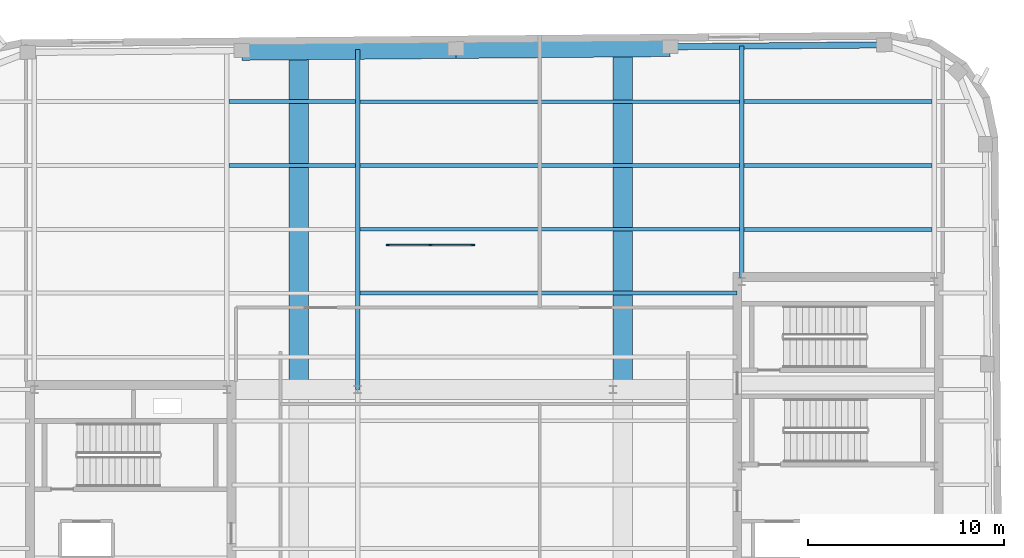
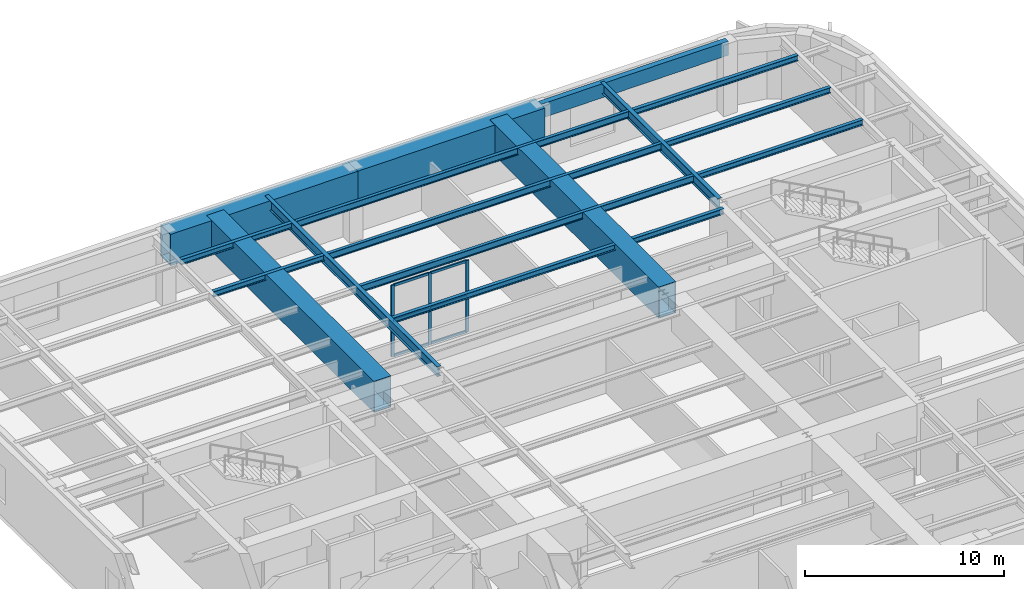
# One storey, part 6 of 14: 16 beams, 9 members, 1 element without a shape of its own.
"""IFC4 building model written with IfcOpenShell, lengths in metres."""

import ifcopenshell
import ifcopenshell.guid

model = None  # the IFC model being written
_history = None  # IfcOwnerHistory: only IFC2X3 demands one
_inside = {}  # id of a spatial element -> (the spatial element, [elements in it])
_under = {}  # id of a project, library or spatial element -> (it, [spatial elements below it])
_declared = {}  # id of a project -> (the project, [libraries it declares])
_typed = {}  # id of a type object -> (the type object, [elements of that type])
_made_of = {}  # id of a material, layer set ... -> (it, [elements and type objects made of it])


def new_model(schema):
    """Start an empty IFC model of exactly this schema.

    Asked for "IFC4X3", IfcOpenShell would pick the latest addendum, in which some entities
    have other attributes; the version numbers below select the first issue.
    IFC2X3 requires an IfcOwnerHistory on every rooted entity: one is made here for all.
    """
    global model, _history
    if schema == "IFC4X3":
        model = ifcopenshell.file(schema_version=(4, 3, 0, 0))
    else:
        model = ifcopenshell.file(schema=schema)
    _inside.clear()
    _under.clear()
    _declared.clear()
    _typed.clear()
    _made_of.clear()
    _history = None
    if model.schema == "IFC2X3":
        org = make("IfcOrganization", Name="unknown")
        user = make(
            "IfcPersonAndOrganization",
            ThePerson=make("IfcPerson", FamilyName="unknown"),
            TheOrganization=org,
        )
        app = make(
            "IfcApplication",
            ApplicationDeveloper=org,
            Version="unknown",
            ApplicationFullName="unknown",
            ApplicationIdentifier="unknown",
        )
        _history = make(
            "IfcOwnerHistory",
            OwningUser=user,
            OwningApplication=app,
            ChangeAction="ADDED",
            CreationDate=0,
        )
    return model


def make(cls, **values):
    """One entity of the class cls with the attributes given. An attribute that is None is left unset."""
    return model.create_entity(
        cls, **{name: value for name, value in values.items() if value is not None}
    )


def rooted(cls, **values):
    """An entity with a GlobalId (a new one), such as an element, a storey or a relation."""
    return make(cls, GlobalId=ifcopenshell.guid.new(), OwnerHistory=_history, **values)


def si_unit(unit_type, name, prefix=None):
    """IfcSIUnit, for example si_unit("LENGTHUNIT", "METRE", prefix="MILLI")."""
    return make("IfcSIUnit", UnitType=unit_type, Prefix=prefix, Name=name)


def assignment(units):
    """IfcUnitAssignment: the units of a project."""
    return None if units is None else make("IfcUnitAssignment", Units=units)


def point(xyz):
    """IfcCartesianPoint."""
    return None if xyz is None else make("IfcCartesianPoint", Coordinates=xyz)


def direction(xyz):
    """IfcDirection."""
    return None if xyz is None else make("IfcDirection", DirectionRatios=xyz)


def frame(location, z_axis=None, x_axis=None):
    """IfcAxis2Placement3D, a coordinate frame: its origin and axes. An axis left out is left unset."""
    return make(
        "IfcAxis2Placement3D",
        Location=point(location),
        Axis=direction(z_axis),
        RefDirection=direction(x_axis),
    )


def frame_2d(location, x_axis=None):
    """IfcAxis2Placement2D, a coordinate frame in the plane: its origin and x axis."""
    return make(
        "IfcAxis2Placement2D", Location=point(location), RefDirection=direction(x_axis)
    )


def origin():
    """The frame at (0, 0, 0) with its axes left unset."""
    return frame((0.0, 0.0, 0.0))


def origin_2d():
    """The frame at (0, 0) in the plane with its x axis left unset."""
    return frame_2d((0.0, 0.0))


def place(relative_to, where):
    """IfcLocalPlacement: puts the frame where relative to a parent placement (None: the world)."""
    return make(
        "IfcLocalPlacement", PlacementRelTo=relative_to, RelativePlacement=where
    )


def context(
    kind, dimensions, precision=None, world=None, true_north=None, identifier=None
):
    """IfcGeometricRepresentationContext, for example the 3D "Model" context."""
    return make(
        "IfcGeometricRepresentationContext",
        ContextIdentifier=identifier,
        ContextType=kind,
        CoordinateSpaceDimension=dimensions,
        Precision=precision,
        WorldCoordinateSystem=world,
        TrueNorth=true_north,
    )


def subcontext(parent, identifier, kind, view, scale=None):
    """IfcGeometricRepresentationSubContext, for example "Body" below "Model"."""
    return make(
        "IfcGeometricRepresentationSubContext",
        ContextIdentifier=identifier,
        ContextType=kind,
        ParentContext=parent,
        TargetScale=scale,
        TargetView=view,
    )


def project(units=None, contexts=None):
    """IfcProject with its units and contexts."""
    return rooted(
        "IfcProject",
        Name="project",
        RepresentationContexts=contexts,
        UnitsInContext=assignment(units),
    )


def spatial(cls, under=None, at=None, **own):
    """A site, building, storey or space (cls), placed at a placement, below another one or the project."""
    s = rooted(cls, ObjectPlacement=at, **own)
    if under is not None:
        _under.setdefault(under.id(), (under, []))[1].append(s)
    return s


def profile(cls, at=None, kind="AREA", **sizes):
    """A parametric profile (cls). Its sizes go by their IFC names, for example OverallWidth=200.0."""
    return make(cls, ProfileType=kind, Position=at, **sizes)


def rectangle(**sizes):
    """IfcRectangleProfileDef."""
    return profile("IfcRectangleProfileDef", **sizes)


def hollow_rectangle(**sizes):
    """IfcRectangleHollowProfileDef."""
    return profile("IfcRectangleHollowProfileDef", **sizes)


def i_section(**sizes):
    """IfcIShapeProfileDef."""
    return profile("IfcIShapeProfileDef", **sizes)


def extrude(swept, where, along, depth):
    """IfcExtrudedAreaSolid: the profile swept, set in the frame where, extruded along a direction by depth."""
    return make(
        "IfcExtrudedAreaSolid",
        SweptArea=swept,
        Position=where,
        ExtrudedDirection=direction(along),
        Depth=depth,
    )


def shape(context_of_items, identifier, shape_type, items):
    """IfcShapeRepresentation: the items that make up one representation, for example the "Body"."""
    return make(
        "IfcShapeRepresentation",
        ContextOfItems=context_of_items,
        RepresentationIdentifier=identifier,
        RepresentationType=shape_type,
        Items=items,
    )


def material(Name=None, Category=None):
    """IfcMaterial."""
    return make("IfcMaterial", Name=Name, Category=Category)


def material_profile(
    of_material, cross_section, Name=None, Category=None, Priority=None
):
    """IfcMaterialProfile: a cross section and its material."""
    return make(
        "IfcMaterialProfile",
        Name=Name,
        Material=of_material,
        Profile=cross_section,
        Priority=Priority,
        Category=Category,
    )


def profile_set(profiles, Name=None, composite=None):
    """IfcMaterialProfileSet."""
    return make(
        "IfcMaterialProfileSet",
        Name=Name,
        MaterialProfiles=profiles,
        CompositeProfile=composite,
    )


def made_of(thing, what):
    """Note that an element or type object is made of a material, layer set ...; save() writes the relation."""
    if what is not None:
        _made_of.setdefault(what.id(), (what, []))[1].append(thing)
    return thing


def type_object(cls, material=None, **own):
    """A type object (cls), such as IfcWallType, which elements share."""
    return made_of(rooted(cls, **own), material)


def element(
    cls,
    number,
    at=None,
    inside=None,
    cuts=None,
    type_object=None,
    material=None,
    context=None,
    identifier="Body",
    shape_type=None,
    held_by="IfcProductDefinitionShape",
    body=None,
    shapes=None,
    **own,
):
    """One element of the class cls, such as IfcWall. Its Tag is "e" and its number.

    at: its placement. inside: the storey or other place that contains it. cuts: it is an
    opening in that element (IfcRelVoidsElement). A single representation is given by context,
    identifier, shape_type and body (its items); several are given by shapes. held_by: the class
    of the entity that holds the representations. save() writes the other relations.
    """
    e = rooted(cls, Tag="e%d" % number, ObjectPlacement=at, **own)
    if body is not None:
        shapes = [shape(context, identifier, shape_type, body)]
    if shapes is not None:
        e.Representation = make(held_by, Representations=shapes)
    if inside is not None:
        _inside.setdefault(inside.id(), (inside, []))[1].append(e)
    if cuts is not None:
        rooted(
            "IfcRelVoidsElement", RelatingBuildingElement=cuts, RelatedOpeningElement=e
        )
    if type_object is not None:
        _typed.setdefault(type_object.id(), (type_object, []))[1].append(e)
    return made_of(e, material)


def aggregate(whole, parts):
    """IfcRelAggregates: a whole, such as a stair, and the parts it consists of."""
    return rooted("IfcRelAggregates", RelatingObject=whole, RelatedObjects=parts)


def save(model, path):
    """Write the relations noted so far, then the file.

    IfcRelAggregates (storeys below a building ...), IfcRelContainedInSpatialStructure (elements
    in a storey), IfcRelDefinesByType, IfcRelAssociatesMaterial and IfcRelDeclares: one each for
    every whole, place, type object, material and project.
    """
    for whole, parts in _under.values():
        aggregate(whole, parts)
    for where, things in _inside.values():
        rooted(
            "IfcRelContainedInSpatialStructure",
            RelatedElements=things,
            RelatingStructure=where,
        )
    for kind, things in _typed.values():
        rooted("IfcRelDefinesByType", RelatedObjects=things, RelatingType=kind)
    for what, things in _made_of.values():
        rooted("IfcRelAssociatesMaterial", RelatedObjects=things, RelatingMaterial=what)
    for by, libraries in _declared.values():
        rooted("IfcRelDeclares", RelatingContext=by, RelatedDefinitions=libraries)
    model.write(path)


model = new_model("IFC4")

# Units and contexts
model_context = context("Model", 3, precision=1e-05, world=origin(), true_north=direction((0.0, 1.0)))
body_context = subcontext(model_context, "Body", "Model", "MODEL_VIEW")
ifc_project = project(units=[si_unit("LENGTHUNIT", "METRE"), si_unit("AREAUNIT", "SQUARE_METRE"), si_unit("VOLUMEUNIT", "CUBIC_METRE"), si_unit("PLANEANGLEUNIT", "RADIAN"), si_unit("MASSUNIT", "GRAM", prefix="KILO")], contexts=[model_context])

# Site, building, storey
site_placement = place(None, origin())
site = spatial("IfcSite", under=ifc_project, at=site_placement, CompositionType="ELEMENT")
building_placement = place(site_placement, origin())
building = spatial("IfcBuilding", under=site, at=building_placement, Name="Kolvaren Arena Tower", CompositionType="ELEMENT")
storey_placement = place(building_placement, frame((0.0, 0.0, 317.199951171875)))
storey = spatial("IfcBuildingStorey", under=building, at=storey_placement, Name="L78", CompositionType="ELEMENT", Elevation=317.199951171875)

# Beams
ifc_material_1 = material(Name="Steel CSA G40.21 350W", Category="steel")
ifc_material_profile_1 = material_profile(ifc_material_1, i_section(OverallWidth=0.180908203125, OverallDepth=0.4169921875, WebThickness=0.010986328125, FlangeThickness=0.018310546875, FilletRadius=0.011962890625, at=origin_2d()), Name="W410x85")
ifc_profile_set_1 = profile_set([ifc_material_profile_1], Name="Steel CSA G40.21 350W")
beam_type_1 = type_object("IfcBeamType", Name="BEAM-F3", PredefinedType="BEAM", material=ifc_profile_set_1)
for number, where, z_axis, x_axis, name in (
    (1, (31.114013671875, 42.0, 4.171630859375), (1.0, 0.0, 0.0), (0.0, 1.0, 0.0), "Composite Floor Beam (L78)"),
    (2, (31.114013671875, 45.25, 4.171630859375), (1.0, 0.0, 0.0), (0.0, 1.0, 0.0), "Composite Floor Beam (L78)"),
    (3, (31.114013671875, 48.5, 4.171630859375), (1.0, 0.0, 0.0), (0.0, 1.0, 0.0), "Composite Floor Beam (L78)"),
):
    element("IfcBeam", number, at=place(storey_placement, frame(where, z_axis=z_axis, x_axis=x_axis)), inside=storey, type_object=beam_type_1, Name=name, PredefinedType="BEAM", context=body_context, shape_type="SweptSolid", body=[
        extrude(i_section(OverallWidth=0.180908203125, OverallDepth=0.4169921875, WebThickness=0.010986328125, FlangeThickness=0.018310546875, FilletRadius=0.011962890625, at=origin_2d()), origin(), (0.0, 0.0, 1.0), 19.322021484375),
    ])

# Curtain wall, members
ifc_material_2 = material(Name="Anodised aluminium unitised curtain wall", Category="aluminium")
curtain_wall_type = type_object("IfcCurtainWallType", Name="CW-SYS-06", PredefinedType="USERDEFINED", material=ifc_material_2)
curtain_wall_placement = place(storey_placement, origin())
curtain_wall = element("IfcCurtainWall", 4, at=curtain_wall_placement, inside=storey, type_object=curtain_wall_type, Name="Wintergarden Glazed Curtain Wall (L78)", ObjectType="UNITISED CURTAIN WALL", PredefinedType="USERDEFINED")
ifc_material_3 = material(Name="Anodised aluminium 6063-T6", Category="aluminium")
ifc_material_profile_2 = material_profile(ifc_material_3, rectangle(XDim=0.080078125, YDim=0.179931640625, at=origin_2d()), Name="ALU-80x180")
ifc_profile_set_2 = profile_set([ifc_material_profile_2], Name="Anodised aluminium 6063-T6")
member_type_1 = type_object("IfcMemberType", Name="CWM-STD", PredefinedType="MULLION", material=ifc_profile_set_2)
member_1_placement = place(storey_placement, frame((32.5400390625, 41.199951171875, 0.0), z_axis=(0.0, 0.0, 1.0), x_axis=(0.0, 1.0, 0.0)))
member_1 = element("IfcMember", 5, at=member_1_placement, type_object=member_type_1, Name="CW6 mullion 1", PredefinedType="MULLION", context=body_context, shape_type="SweptSolid", body=[
    extrude(rectangle(XDim=0.080078125, YDim=0.179931640625, at=origin_2d()), origin(), (0.0, 0.0, 1.0), 4.380126953125),
])
member_2_placement = place(storey_placement, frame((34.699951171875, 41.199951171875, 0.0), z_axis=(0.0, 0.0, 1.0), x_axis=(0.0, 1.0, 0.0)))
member_2 = element("IfcMember", 6, at=member_2_placement, type_object=member_type_1, Name="CW6 mullion 2", PredefinedType="MULLION", context=body_context, shape_type="SweptSolid", body=[
    extrude(rectangle(XDim=0.080078125, YDim=0.179931640625, at=origin_2d()), origin(), (0.0, 0.0, 1.0), 4.380126953125),
])
member_3_placement = place(storey_placement, frame((36.860107421875, 41.199951171875, 0.0), z_axis=(0.0, 0.0, 1.0), x_axis=(0.0, 1.0, 0.0)))
member_3 = element("IfcMember", 7, at=member_3_placement, type_object=member_type_1, Name="CW6 mullion 3", PredefinedType="MULLION", context=body_context, shape_type="SweptSolid", body=[
    extrude(rectangle(XDim=0.080078125, YDim=0.179931640625, at=origin_2d()), origin(), (0.0, 0.0, 1.0), 4.380126953125),
])
ifc_material_profile_3 = material_profile(ifc_material_3, rectangle(XDim=0.080078125, YDim=0.14990234375, at=origin_2d()), Name="ALU-80x150")
ifc_profile_set_3 = profile_set([ifc_material_profile_3], Name="Anodised aluminium 6063-T6")
member_type_2 = type_object("IfcMemberType", Name="CWT-STD", PredefinedType="USERDEFINED", material=ifc_profile_set_3)
member_4_placement = place(storey_placement, frame((32.580078125, 41.199951171875, 0.0400390625), z_axis=(1.0, 0.0, 0.0), x_axis=(0.0, 1.0, 0.0)))
member_4 = element("IfcMember", 8, at=member_4_placement, type_object=member_type_2, Name="CW6 transom 1.1", ObjectType="TRANSOM", PredefinedType="USERDEFINED", context=body_context, shape_type="SweptSolid", body=[
    extrude(rectangle(XDim=0.080078125, YDim=0.14990234375, at=origin_2d()), origin(), (0.0, 0.0, 1.0), 2.079833984375),
])
member_5_placement = place(storey_placement, frame((32.580078125, 41.199951171875, 2.18994140625), z_axis=(1.0, 0.0, 0.0), x_axis=(0.0, 1.0, 0.0)))
member_5 = element("IfcMember", 9, at=member_5_placement, type_object=member_type_2, Name="CW6 transom 1.2", ObjectType="TRANSOM", PredefinedType="USERDEFINED", context=body_context, shape_type="SweptSolid", body=[
    extrude(rectangle(XDim=0.080078125, YDim=0.14990234375, at=origin_2d()), origin(), (0.0, 0.0, 1.0), 2.079833984375),
])
member_6_placement = place(storey_placement, frame((32.580078125, 41.199951171875, 4.340087890625), z_axis=(1.0, 0.0, 0.0), x_axis=(0.0, 1.0, 0.0)))
member_6 = element("IfcMember", 10, at=member_6_placement, type_object=member_type_2, Name="CW6 transom 1.3", ObjectType="TRANSOM", PredefinedType="USERDEFINED", context=body_context, shape_type="SweptSolid", body=[
    extrude(rectangle(XDim=0.080078125, YDim=0.14990234375, at=origin_2d()), origin(), (0.0, 0.0, 1.0), 2.079833984375),
])
member_7_placement = place(storey_placement, frame((34.739990234375, 41.199951171875, 0.0400390625), z_axis=(1.0, 0.0, 0.0), x_axis=(0.0, 1.0, 0.0)))
member_7 = element("IfcMember", 11, at=member_7_placement, type_object=member_type_2, Name="CW6 transom 2.1", ObjectType="TRANSOM", PredefinedType="USERDEFINED", context=body_context, shape_type="SweptSolid", body=[
    extrude(rectangle(XDim=0.080078125, YDim=0.14990234375, at=origin_2d()), origin(), (0.0, 0.0, 1.0), 2.080078125),
])
member_8_placement = place(storey_placement, frame((34.739990234375, 41.199951171875, 2.18994140625), z_axis=(1.0, 0.0, 0.0), x_axis=(0.0, 1.0, 0.0)))
member_8 = element("IfcMember", 12, at=member_8_placement, type_object=member_type_2, Name="CW6 transom 2.2", ObjectType="TRANSOM", PredefinedType="USERDEFINED", context=body_context, shape_type="SweptSolid", body=[
    extrude(rectangle(XDim=0.080078125, YDim=0.14990234375, at=origin_2d()), origin(), (0.0, 0.0, 1.0), 2.080078125),
])
member_9_placement = place(storey_placement, frame((34.739990234375, 41.199951171875, 4.340087890625), z_axis=(1.0, 0.0, 0.0), x_axis=(0.0, 1.0, 0.0)))
member_9 = element("IfcMember", 13, at=member_9_placement, type_object=member_type_2, Name="CW6 transom 2.3", ObjectType="TRANSOM", PredefinedType="USERDEFINED", context=body_context, shape_type="SweptSolid", body=[
    extrude(rectangle(XDim=0.080078125, YDim=0.14990234375, at=origin_2d()), origin(), (0.0, 0.0, 1.0), 2.080078125),
])
aggregate(curtain_wall, [member_1, member_2, member_3, member_4, member_5, member_6, member_7, member_8, member_9])

# Beams
ifc_material_profile_4 = material_profile(ifc_material_1, i_section(OverallWidth=0.22802734375, OverallDepth=0.615966796875, WebThickness=0.013916015625, FlangeThickness=0.02490234375, FilletRadius=0.014892578125, at=origin_2d()), Name="W610x174")
ifc_profile_set_4 = profile_set([ifc_material_profile_4], Name="Steel CSA G40.21 350W")
beam_type_2 = type_object("IfcBeamType", Name="GIRD-T3", PredefinedType="BEAM", material=ifc_profile_set_4)
beam_1_placement = place(storey_placement, frame((31.0, 33.85009765625, 4.072021484375), z_axis=(0.0, 1.0, 0.0), x_axis=(-1.0, 0.0, 0.0)))
element("IfcBeam", 14, at=beam_1_placement, inside=storey, type_object=beam_type_2, Name="Primary Floor Girder (L78)", PredefinedType="BEAM", context=body_context, shape_type="SweptSolid", body=[
    extrude(i_section(OverallWidth=0.22802734375, OverallDepth=0.615966796875, WebThickness=0.013916015625, FlangeThickness=0.02490234375, FilletRadius=0.014892578125, at=origin_2d()), origin(), (0.0, 0.0, 1.0), 17.305419921875),
])
beam_2_placement = place(storey_placement, frame((50.550048828125, 39.554931640625, 4.072021484375), z_axis=(0.0, 1.0, 0.0), x_axis=(-1.0, 0.0, 0.0)))
element("IfcBeam", 15, at=beam_2_placement, inside=storey, type_object=beam_type_2, Name="Primary Floor Girder (L78)", PredefinedType="BEAM", context=body_context, shape_type="SweptSolid", body=[
    extrude(i_section(OverallWidth=0.22802734375, OverallDepth=0.615966796875, WebThickness=0.013916015625, FlangeThickness=0.02490234375, FilletRadius=0.014892578125, at=origin_2d()), origin(), (0.0, 0.0, 1.0), 11.771240234375),
])
ifc_material_profile_5 = material_profile(ifc_material_1, i_section(OverallWidth=0.202880859375, OverallDepth=0.346923828125, WebThickness=0.0078125, FlangeThickness=0.013427734375, FilletRadius=0.010986328125, at=origin_2d()), Name="W360x64")
ifc_profile_set_5 = profile_set([ifc_material_profile_5], Name="Steel CSA G40.21 350W")
beam_type_3 = type_object("IfcBeamType", Name="JOIST-01", PredefinedType="JOIST", material=ifc_profile_set_5)
beam_3_placement = place(storey_placement, frame((31.114013671875, 38.75, 4.20654296875), z_axis=(1.0, 0.0, 0.0), x_axis=(0.0, 1.0, 0.0)))
element("IfcBeam", 16, at=beam_3_placement, inside=storey, type_object=beam_type_3, Name="Composite Floor Joist (L78)", PredefinedType="JOIST", context=body_context, shape_type="SweptSolid", body=[
    extrude(i_section(OverallWidth=0.202880859375, OverallDepth=0.346923828125, WebThickness=0.0078125, FlangeThickness=0.013427734375, FilletRadius=0.010986328125, at=origin_2d()), origin(), (0.0, 0.0, 1.0), 19.19091796875),
])
beam_4_placement = place(storey_placement, frame((50.6640625, 42.0, 4.20654296875), z_axis=(1.0, 0.0, 0.0), x_axis=(0.0, 1.0, 0.0)))
element("IfcBeam", 17, at=beam_4_placement, inside=storey, type_object=beam_type_3, Name="Composite Floor Joist (L78)", PredefinedType="JOIST", context=body_context, shape_type="SweptSolid", body=[
    extrude(i_section(OverallWidth=0.202880859375, OverallDepth=0.346923828125, WebThickness=0.0078125, FlangeThickness=0.013427734375, FilletRadius=0.010986328125, at=origin_2d()), origin(), (0.0, 0.0, 1.0), 9.572021484375),
])
beam_5_placement = place(storey_placement, frame((24.464111328125, 45.25, 4.20654296875), z_axis=(1.0, 0.0, 0.0), x_axis=(0.0, 1.0, 0.0)))
element("IfcBeam", 18, at=beam_5_placement, inside=storey, type_object=beam_type_3, Name="Composite Floor Joist (L78)", PredefinedType="JOIST", context=body_context, shape_type="SweptSolid", body=[
    extrude(i_section(OverallWidth=0.202880859375, OverallDepth=0.346923828125, WebThickness=0.0078125, FlangeThickness=0.013427734375, FilletRadius=0.010986328125, at=origin_2d()), origin(), (0.0, 0.0, 1.0), 6.421875),
])
beam_6_placement = place(storey_placement, frame((50.6640625, 45.25, 4.20654296875), z_axis=(1.0, 0.0, 0.0), x_axis=(0.0, 1.0, 0.0)))
element("IfcBeam", 19, at=beam_6_placement, inside=storey, type_object=beam_type_3, Name="Composite Floor Joist (L78)", PredefinedType="JOIST", context=body_context, shape_type="SweptSolid", body=[
    extrude(i_section(OverallWidth=0.202880859375, OverallDepth=0.346923828125, WebThickness=0.0078125, FlangeThickness=0.013427734375, FilletRadius=0.010986328125, at=origin_2d()), origin(), (0.0, 0.0, 1.0), 9.572021484375),
])
beam_7_placement = place(storey_placement, frame((24.464111328125, 48.5, 4.20654296875), z_axis=(1.0, 0.0, 0.0), x_axis=(0.0, 1.0, 0.0)))
element("IfcBeam", 20, at=beam_7_placement, inside=storey, type_object=beam_type_3, Name="Composite Floor Joist (L78)", PredefinedType="JOIST", context=body_context, shape_type="SweptSolid", body=[
    extrude(i_section(OverallWidth=0.202880859375, OverallDepth=0.346923828125, WebThickness=0.0078125, FlangeThickness=0.013427734375, FilletRadius=0.010986328125, at=origin_2d()), origin(), (0.0, 0.0, 1.0), 6.421875),
])
beam_8_placement = place(storey_placement, frame((50.6640625, 48.5, 4.20654296875), z_axis=(1.0, 0.0, 0.0), x_axis=(0.0, 1.0, 0.0)))
element("IfcBeam", 21, at=beam_8_placement, inside=storey, type_object=beam_type_3, Name="Composite Floor Joist (L78)", PredefinedType="JOIST", context=body_context, shape_type="SweptSolid", body=[
    extrude(i_section(OverallWidth=0.202880859375, OverallDepth=0.346923828125, WebThickness=0.0078125, FlangeThickness=0.013427734375, FilletRadius=0.010986328125, at=origin_2d()), origin(), (0.0, 0.0, 1.0), 9.572021484375),
])
ifc_material_4 = material(Name="Steel CSA G40.21 350WT", Category="steel")
ifc_material_profile_6 = material_profile(ifc_material_4, hollow_rectangle(XDim=0.320068359375, YDim=0.860107421875, WallThickness=0.01806640625, at=origin_2d()), Name="HSS 860x320x18")
ifc_profile_set_6 = profile_set([ifc_material_profile_6], Name="Steel CSA G40.21 350WT")
beam_type_4 = type_object("IfcBeamType", Name="SPAND-02", PredefinedType="SPANDREL", material=ifc_profile_set_6)
beam_9_placement = place(storey_placement, frame((57.80810546875, 51.389404296875, 3.949951171875), z_axis=(-0.999961846999, -0.008735247404, 0.0), x_axis=(0.008735247404, -0.999961846999, 0.0)))
element("IfcBeam", 22, at=beam_9_placement, inside=storey, type_object=beam_type_4, Name="Perimeter Spandrel Beam (L78)", PredefinedType="SPANDREL", context=body_context, shape_type="SweptSolid", body=[
    extrude(hollow_rectangle(XDim=0.320068359375, YDim=0.860107421875, WallThickness=0.01806640625, at=origin_2d()), origin(), (0.0, 0.0, 1.0), 10.900146484375),
])
ifc_material_profile_7 = material_profile(ifc_material_4, hollow_rectangle(XDim=1.0, YDim=1.919921875, WallThickness=0.044921875, at=origin_2d()), Name="BOX 1000x1920x45")
ifc_profile_set_7 = profile_set([ifc_material_profile_7], Name="Steel CSA G40.21 350WT")
beam_type_5 = type_object("IfcBeamType", Name="TG-MEGA", PredefinedType="USERDEFINED", material=ifc_profile_set_7)
beam_10_placement = place(storey_placement, frame((46.908447265625, 51.294189453125, 3.400146484375), z_axis=(-0.999962042393, -0.008712851036, 0.0), x_axis=(0.008712851036, -0.999962042393, 0.0)))
element("IfcBeam", 23, at=beam_10_placement, inside=storey, type_object=beam_type_5, Name="Wind-Portal Perimeter Transfer Girder 13 (L78)", ObjectType="TRANSFER GIRDER", PredefinedType="USERDEFINED", context=body_context, shape_type="SweptSolid", body=[
    extrude(hollow_rectangle(XDim=1.0, YDim=1.919921875, WallThickness=0.044921875, at=origin_2d()), origin(), (0.0, 0.0, 1.0), 10.900146484375),
])
beam_11_placement = place(storey_placement, frame((36.0087890625, 51.19921875, 3.400146484375), z_axis=(-0.999961845289, -0.008735443053, 0.0), x_axis=(0.008735443053, -0.999961845289, 0.0)))
element("IfcBeam", 24, at=beam_11_placement, inside=storey, type_object=beam_type_5, Name="Wind-Portal Perimeter Transfer Girder 14 (L78)", ObjectType="TRANSFER GIRDER", PredefinedType="USERDEFINED", context=body_context, shape_type="SweptSolid", body=[
    extrude(hollow_rectangle(XDim=1.0, YDim=1.919921875, WallThickness=0.044921875, at=origin_2d()), origin(), (0.0, 0.0, 1.0), 10.89990234375),
])
beam_12_placement = place(storey_placement, frame((28.0, 34.340087890625, 3.420166015625), z_axis=(0.0, 1.0, 0.0), x_axis=(-1.0, 0.0, 0.0)))
element("IfcBeam", 25, at=beam_12_placement, inside=storey, type_object=beam_type_5, Name="Wind-Portal Throat Support Transfer Girder (W3)", ObjectType="TRANSFER GIRDER", PredefinedType="USERDEFINED", context=body_context, shape_type="SweptSolid", body=[
    extrude(hollow_rectangle(XDim=1.0, YDim=1.919921875, WallThickness=0.044921875, at=origin_2d()), origin(), (0.0, 0.0, 1.0), 16.7890625),
])
beam_13_placement = place(storey_placement, frame((44.5, 34.340087890625, 3.420166015625), z_axis=(0.0, 1.0, 0.0), x_axis=(-1.0, 0.0, 0.0)))
element("IfcBeam", 26, at=beam_13_placement, inside=storey, type_object=beam_type_5, Name="Wind-Portal Throat Support Transfer Girder (E3)", ObjectType="TRANSFER GIRDER", PredefinedType="USERDEFINED", context=body_context, shape_type="SweptSolid", body=[
    extrude(hollow_rectangle(XDim=1.0, YDim=1.919921875, WallThickness=0.044921875, at=origin_2d()), origin(), (0.0, 0.0, 1.0), 16.93310546875),
])

save(model, "model.ifc")
